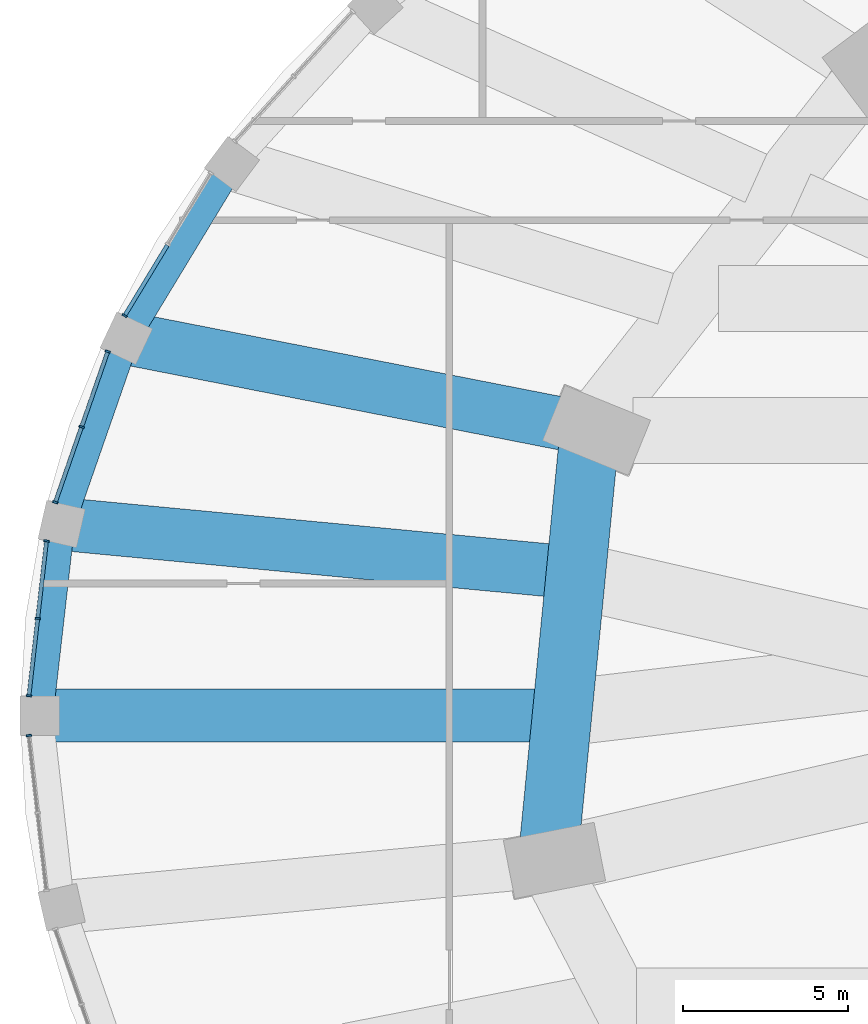
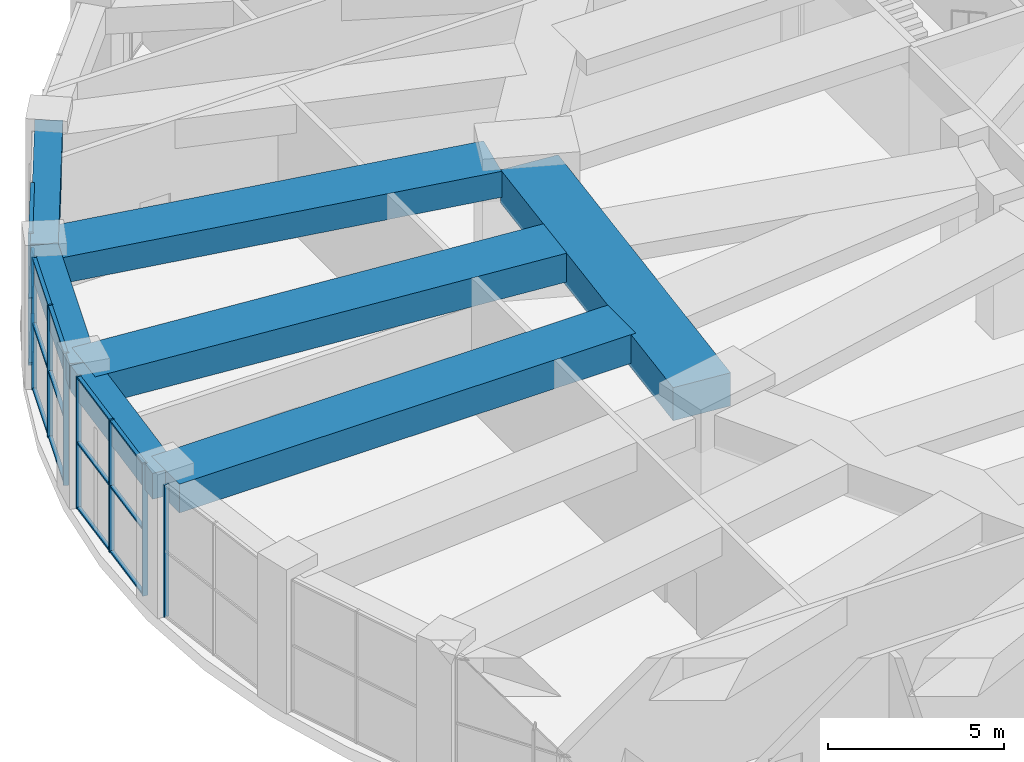
# One storey, part 8 of 32: 23 members, 7 beams, 4 elements without a shape of their own.
"""IFC4 building model written with IfcOpenShell, lengths in metres."""

from ifc_helpers import new_model, si_unit, direction, frame, origin, origin_2d, place, context, subcontext, project, spatial, rectangle, extrude, material, material_profile, profile_set, type_object, element, aggregate, save


model = new_model("IFC4")

# Units and contexts
model_context = context("Model", 3, precision=1e-05, world=origin(), true_north=direction((0.0, 1.0)))
body_context = subcontext(model_context, "Body", "Model", "MODEL_VIEW")
ifc_project = project(units=[si_unit("LENGTHUNIT", "METRE"), si_unit("AREAUNIT", "SQUARE_METRE"), si_unit("VOLUMEUNIT", "CUBIC_METRE"), si_unit("PLANEANGLEUNIT", "RADIAN"), si_unit("MASSUNIT", "GRAM", prefix="KILO")], contexts=[model_context])

# Site, building, storey
site_placement = place(None, origin())
site = spatial("IfcSite", under=ifc_project, at=site_placement, CompositionType="ELEMENT")
building_placement = place(site_placement, origin())
building = spatial("IfcBuilding", under=site, at=building_placement, Name="Taillehof Tower", CompositionType="ELEMENT")
storey_placement = place(building_placement, frame((0.0, 0.0, 7.5)))
storey = spatial("IfcBuildingStorey", under=building, at=storey_placement, Name="L01", CompositionType="ELEMENT", Elevation=7.5)

# Beams
ifc_material_1 = material(Name="Concrete C50/60", Category="concrete")
ifc_material_profile_1 = material_profile(ifc_material_1, rectangle(XDim=0.800048828125, YDim=0.89990234375, at=origin_2d()), Name="RC 800x900")
ifc_profile_set_1 = profile_set([ifc_material_profile_1], Name="Concrete C50/60")
beam_type_1 = type_object("IfcBeamType", Name="Podium edge beam C50/60 800x900", PredefinedType="BEAM", material=ifc_profile_set_1)
beam_1_placement = place(storey_placement, frame((-37.58544921875, 16.699951171875, 4.139892578125), z_axis=(-0.518238569123, -0.855236099258, 0.0), x_axis=(0.855236099258, -0.518238569123, 0.0)))
element("IfcBeam", 1, at=beam_1_placement, inside=storey, type_object=beam_type_1, Name="Podium edge beam PB16", PredefinedType="BEAM", context=body_context, shape_type="SweptSolid", body=[
    extrude(rectangle(XDim=0.800048828125, YDim=0.89990234375, at=origin_2d()), origin(), (0.0, 0.0, 1.0), 6.16943359375),
])
beam_2_placement = place(storey_placement, frame((-40.78271484375, 11.423583984375, 4.139892578125), z_axis=(-0.328806837859, -0.94439719577, 0.0), x_axis=(0.94439719577, -0.328806837859, 0.0)))
element("IfcBeam", 2, at=beam_2_placement, inside=storey, type_object=beam_type_1, Name="Podium edge beam PB17", PredefinedType="BEAM", context=body_context, shape_type="SweptSolid", body=[
    extrude(rectangle(XDim=0.800048828125, YDim=0.89990234375, at=origin_2d()), origin(), (0.0, 0.0, 1.0), 5.954833984375),
])
beam_3_placement = place(storey_placement, frame((-42.74072265625, 5.7998046875, 4.139892578125), z_axis=(-0.112928457179, -0.993603121754, 0.0), x_axis=(0.993603121754, -0.112928457179, 0.0)))
element("IfcBeam", 3, at=beam_3_placement, inside=storey, type_object=beam_type_1, Name="Podium edge beam PB18", PredefinedType="BEAM", context=body_context, shape_type="SweptSolid", body=[
    extrude(rectangle(XDim=0.800048828125, YDim=0.89990234375, at=origin_2d()), origin(), (0.0, 0.0, 1.0), 5.837158203125),
])
ifc_material_2 = material(Name="Concrete C50/60", Category="concrete")
ifc_material_profile_2 = material_profile(ifc_material_2, rectangle(XDim=1.60009765625, YDim=1.0, at=origin_2d()), Name="RC 1600x1000")
ifc_profile_set_2 = profile_set([ifc_material_profile_2], Name="Concrete C50/60")
beam_type_2 = type_object("IfcBeamType", Name="Podium radial beam C50/60 1600x1000", PredefinedType="BEAM", material=ifc_profile_set_2)
beam_4_placement = place(storey_placement, frame((-42.74072265625, 5.7998046875, 4.090087890625), z_axis=(0.995531708265, -0.094427844618, 0.0), x_axis=(0.094427844618, 0.995531708265, 0.0)))
element("IfcBeam", 4, at=beam_4_placement, inside=storey, type_object=beam_type_2, Name="Podium radial beam PR18", PredefinedType="BEAM", context=body_context, shape_type="SweptSolid", body=[
    extrude(rectangle(XDim=1.60009765625, YDim=1.0, at=origin_2d()), origin(), (0.0, 0.0, 1.0), 14.74755859375),
])
beam_5_placement = place(storey_placement, frame((-43.39990234375, 0.0, 4.090087890625), z_axis=(1.0, 0.0, 0.0), x_axis=(0.0, 1.0, 0.0)))
element("IfcBeam", 5, at=beam_5_placement, inside=storey, type_object=beam_type_2, Name="Podium radial beam PR19", PredefinedType="BEAM", context=body_context, shape_type="SweptSolid", body=[
    extrude(rectangle(XDim=1.60009765625, YDim=1.0, at=origin_2d()), origin(), (0.0, 0.0, 1.0), 14.987060546875),
])
ifc_material_3 = material(Name="Concrete C50/60", Category="concrete")
ifc_material_profile_3 = material_profile(ifc_material_3, rectangle(XDim=1.60009765625, YDim=0.89990234375, at=origin_2d()), Name="RC 1600x900")
ifc_profile_set_3 = profile_set([ifc_material_profile_3], Name="Concrete C50/60")
beam_type_3 = type_object("IfcBeamType", Name="Podium radial beam C50/60 1600x900", PredefinedType="BEAM", material=ifc_profile_set_3)
beam_6_placement = place(storey_placement, frame((-40.78271484375, 11.423583984375, 4.139892578125), z_axis=(0.981362668378, -0.192164807166, 0.0), x_axis=(0.192164807166, 0.981362668378, 0.0)))
element("IfcBeam", 6, at=beam_6_placement, inside=storey, type_object=beam_type_3, Name="Podium radial beam PR17", PredefinedType="BEAM", context=body_context, shape_type="SweptSolid", body=[
    extrude(rectangle(XDim=1.60009765625, YDim=0.89990234375, at=origin_2d()), origin(), (0.0, 0.0, 1.0), 13.479736328125),
])

# Curtain wall, member
ifc_material_4 = material(Name="Aluminium curtain wall with Clear low-emissivity double glazing", Category="aluminium")
curtain_wall_type = type_object("IfcCurtainWallType", Name="Podium window wall curtain wall", PredefinedType="USERDEFINED", material=ifc_material_4)
curtain_wall_1_placement = place(storey_placement, origin())
curtain_wall_1 = element("IfcCurtainWall", 7, at=curtain_wall_1_placement, inside=storey, type_object=curtain_wall_type, Name="Podium window wall L01 bay 16", ObjectType="WINDOW WALL", PredefinedType="USERDEFINED")
ifc_material_5 = material(Name="Aluminium mullion", Category="aluminium")
ifc_material_profile_4 = material_profile(ifc_material_5, rectangle(XDim=0.159912109375, YDim=0.06005859375, at=origin_2d()), Name="AL 60x160")
ifc_profile_set_4 = profile_set([ifc_material_profile_4], Name="Aluminium mullion")
member_type_1 = type_object("IfcMemberType", Name="Podium window wall mullion 60x160", PredefinedType="MULLION", material=ifc_profile_set_4)
member_1_placement = place(storey_placement, frame((-40.8310546875, 12.109375, 0.0), z_axis=(0.0, 0.0, 1.0), x_axis=(0.855288863309, -0.518151483931, 0.0)))
member_1 = element("IfcMember", 8, at=member_1_placement, type_object=member_type_1, Name="CT216 mullion 3", PredefinedType="MULLION", context=body_context, shape_type="SweptSolid", body=[
    extrude(rectangle(XDim=0.159912109375, YDim=0.06005859375, at=origin_2d()), origin(), (0.0, 0.0, 1.0), 4.590087890625),
])

# Curtain wall, members
curtain_wall_2_placement = place(storey_placement, origin())
curtain_wall_2 = element("IfcCurtainWall", 9, at=curtain_wall_2_placement, inside=storey, type_object=curtain_wall_type, Name="Podium window wall L01 bay 17", ObjectType="WINDOW WALL", PredefinedType="USERDEFINED")
member_2_placement = place(storey_placement, frame((-41.341796875, 11.023681640625, 0.0), z_axis=(0.0, 0.0, 1.0), x_axis=(0.944414333464, -0.328757610934, 0.0)))
member_2 = element("IfcMember", 10, at=member_2_placement, type_object=member_type_1, Name="CT217 mullion 1", PredefinedType="MULLION", context=body_context, shape_type="SweptSolid", body=[
    extrude(rectangle(XDim=0.159912109375, YDim=0.06005859375, at=origin_2d()), origin(), (0.0, 0.0, 1.0), 4.590087890625),
])
member_3_placement = place(storey_placement, frame((-42.136474609375, 8.7412109375, 0.0), z_axis=(0.0, 0.0, 1.0), x_axis=(0.944414333464, -0.328757610934, 0.0)))
member_3 = element("IfcMember", 11, at=member_3_placement, type_object=member_type_1, Name="CT217 mullion 2", PredefinedType="MULLION", context=body_context, shape_type="SweptSolid", body=[
    extrude(rectangle(XDim=0.159912109375, YDim=0.06005859375, at=origin_2d()), origin(), (0.0, 0.0, 1.0), 4.590087890625),
])
member_4_placement = place(storey_placement, frame((-42.930908203125, 6.458740234375, 0.0), z_axis=(0.0, 0.0, 1.0), x_axis=(0.944414333464, -0.328757610934, 0.0)))
member_4 = element("IfcMember", 12, at=member_4_placement, type_object=member_type_1, Name="CT217 mullion 3", PredefinedType="MULLION", context=body_context, shape_type="SweptSolid", body=[
    extrude(rectangle(XDim=0.159912109375, YDim=0.06005859375, at=origin_2d()), origin(), (0.0, 0.0, 1.0), 4.590087890625),
])

curtain_wall_3_placement = place(storey_placement, origin())
curtain_wall_3 = element("IfcCurtainWall", 13, at=curtain_wall_3_placement, inside=storey, type_object=curtain_wall_type, Name="Podium window wall L01 bay 18", ObjectType="WINDOW WALL", PredefinedType="USERDEFINED")
member_5_placement = place(storey_placement, frame((-43.197509765625, 5.28857421875, 0.0), z_axis=(0.0, 0.0, 1.0), x_axis=(0.993602669771, -0.112932433888, 0.0)))
member_5 = element("IfcMember", 14, at=member_5_placement, type_object=member_type_1, Name="CT218 mullion 1", PredefinedType="MULLION", context=body_context, shape_type="SweptSolid", body=[
    extrude(rectangle(XDim=0.159912109375, YDim=0.06005859375, at=origin_2d()), origin(), (0.0, 0.0, 1.0), 4.590087890625),
])
member_6_placement = place(storey_placement, frame((-43.464111328125, 2.9443359375, 0.0), z_axis=(0.0, 0.0, 1.0), x_axis=(0.993602669771, -0.112932433888, 0.0)))
member_6 = element("IfcMember", 15, at=member_6_placement, type_object=member_type_1, Name="CT218 mullion 2", PredefinedType="MULLION", context=body_context, shape_type="SweptSolid", body=[
    extrude(rectangle(XDim=0.159912109375, YDim=0.06005859375, at=origin_2d()), origin(), (0.0, 0.0, 1.0), 4.590087890625),
])
member_7_placement = place(storey_placement, frame((-43.73046875, 0.60009765625, 0.0), z_axis=(0.0, 0.0, 1.0), x_axis=(0.993602669771, -0.112932433888, 0.0)))
member_7 = element("IfcMember", 16, at=member_7_placement, type_object=member_type_1, Name="CT218 mullion 3", PredefinedType="MULLION", context=body_context, shape_type="SweptSolid", body=[
    extrude(rectangle(XDim=0.159912109375, YDim=0.06005859375, at=origin_2d()), origin(), (0.0, 0.0, 1.0), 4.590087890625),
])

# Curtain wall, member
curtain_wall_4_placement = place(storey_placement, origin())
curtain_wall_4 = element("IfcCurtainWall", 17, at=curtain_wall_4_placement, inside=storey, type_object=curtain_wall_type, Name="Podium window wall L01 bay 19", ObjectType="WINDOW WALL", PredefinedType="USERDEFINED")
member_8_placement = place(storey_placement, frame((-43.73046875, -0.60009765625, 0.0), z_axis=(0.0, 0.0, 1.0), x_axis=(0.993602669771, 0.112932433888, 0.0)))
member_8 = element("IfcMember", 18, at=member_8_placement, type_object=member_type_1, Name="CT219 mullion 1", PredefinedType="MULLION", context=body_context, shape_type="SweptSolid", body=[
    extrude(rectangle(XDim=0.159912109375, YDim=0.06005859375, at=origin_2d()), origin(), (0.0, 0.0, 1.0), 4.590087890625),
])
aggregate(curtain_wall_4, [member_8])

# Member
ifc_material_6 = material(Name="Aluminium transom", Category="aluminium")
ifc_material_profile_5 = material_profile(ifc_material_6, rectangle(XDim=0.1201171875, YDim=0.06005859375, at=origin_2d()), Name="AL 120x60")
ifc_profile_set_5 = profile_set([ifc_material_profile_5], Name="Aluminium transom")
member_type_2 = type_object("IfcMemberType", Name="Podium window wall transom 120x60", PredefinedType="USERDEFINED", material=ifc_profile_set_5)
member_9_placement = place(storey_placement, frame((-39.539794921875, 14.24072265625, 0.030029296875), z_axis=(-0.518136875535, -0.855297713203, 0.0), x_axis=(0.855297713203, -0.518136875535, 0.0)))
member_9 = element("IfcMember", 19, at=member_9_placement, type_object=member_type_2, Name="CT216 transom 2.1", ObjectType="TRANSOM", PredefinedType="USERDEFINED", context=body_context, shape_type="SweptSolid", body=[
    extrude(rectangle(XDim=0.1201171875, YDim=0.06005859375, at=origin_2d()), origin(), (0.0, 0.0, 1.0), 2.4619140625),
])

member_10_placement = place(storey_placement, frame((-39.539794921875, 14.24072265625, 2.294921875), z_axis=(-0.518136875535, -0.855297713203, 0.0), x_axis=(0.855297713203, -0.518136875535, 0.0)))
member_10 = element("IfcMember", 20, at=member_10_placement, type_object=member_type_2, Name="CT216 transom 2.2", ObjectType="TRANSOM", PredefinedType="USERDEFINED", context=body_context, shape_type="SweptSolid", body=[
    extrude(rectangle(XDim=0.1201171875, YDim=0.06005859375, at=origin_2d()), origin(), (0.0, 0.0, 1.0), 2.4619140625),
])

member_11_placement = place(storey_placement, frame((-39.539794921875, 14.24072265625, 4.56005859375), z_axis=(-0.518136875535, -0.855297713203, 0.0), x_axis=(0.855297713203, -0.518136875535, 0.0)))
member_11 = element("IfcMember", 21, at=member_11_placement, type_object=member_type_2, Name="CT216 transom 2.3", ObjectType="TRANSOM", PredefinedType="USERDEFINED", context=body_context, shape_type="SweptSolid", body=[
    extrude(rectangle(XDim=0.1201171875, YDim=0.06005859375, at=origin_2d()), origin(), (0.0, 0.0, 1.0), 2.4619140625),
])

aggregate(curtain_wall_1, [member_1, member_9, member_10, member_11])

member_12_placement = place(storey_placement, frame((-41.351806640625, 10.995361328125, 0.030029296875), z_axis=(-0.328693387122, -0.9444366878, 0.0), x_axis=(0.9444366878, -0.328693387122, 0.0)))
member_12 = element("IfcMember", 22, at=member_12_placement, type_object=member_type_2, Name="CT217 transom 1.1", ObjectType="TRANSOM", PredefinedType="USERDEFINED", context=body_context, shape_type="SweptSolid", body=[
    extrude(rectangle(XDim=0.1201171875, YDim=0.06005859375, at=origin_2d()), origin(), (0.0, 0.0, 1.0), 2.356689453125),
])

member_13_placement = place(storey_placement, frame((-41.351806640625, 10.995361328125, 2.294921875), z_axis=(-0.328693387122, -0.9444366878, 0.0), x_axis=(0.9444366878, -0.328693387122, 0.0)))
member_13 = element("IfcMember", 23, at=member_13_placement, type_object=member_type_2, Name="CT217 transom 1.2", ObjectType="TRANSOM", PredefinedType="USERDEFINED", context=body_context, shape_type="SweptSolid", body=[
    extrude(rectangle(XDim=0.1201171875, YDim=0.06005859375, at=origin_2d()), origin(), (0.0, 0.0, 1.0), 2.356689453125),
])

member_14_placement = place(storey_placement, frame((-41.351806640625, 10.995361328125, 4.56005859375), z_axis=(-0.328693387122, -0.9444366878, 0.0), x_axis=(0.9444366878, -0.328693387122, 0.0)))
member_14 = element("IfcMember", 24, at=member_14_placement, type_object=member_type_2, Name="CT217 transom 1.3", ObjectType="TRANSOM", PredefinedType="USERDEFINED", context=body_context, shape_type="SweptSolid", body=[
    extrude(rectangle(XDim=0.1201171875, YDim=0.06005859375, at=origin_2d()), origin(), (0.0, 0.0, 1.0), 2.356689453125),
])

member_15_placement = place(storey_placement, frame((-42.146240234375, 8.712890625, 0.030029296875), z_axis=(-0.328785781258, -0.944404526695, 0.0), x_axis=(0.944404526695, -0.328785781258, 0.0)))
member_15 = element("IfcMember", 25, at=member_15_placement, type_object=member_type_2, Name="CT217 transom 2.1", ObjectType="TRANSOM", PredefinedType="USERDEFINED", context=body_context, shape_type="SweptSolid", body=[
    extrude(rectangle(XDim=0.1201171875, YDim=0.06005859375, at=origin_2d()), origin(), (0.0, 0.0, 1.0), 2.35693359375),
])

member_16_placement = place(storey_placement, frame((-42.146240234375, 8.712890625, 2.294921875), z_axis=(-0.328785781258, -0.944404526695, 0.0), x_axis=(0.944404526695, -0.328785781258, 0.0)))
member_16 = element("IfcMember", 26, at=member_16_placement, type_object=member_type_2, Name="CT217 transom 2.2", ObjectType="TRANSOM", PredefinedType="USERDEFINED", context=body_context, shape_type="SweptSolid", body=[
    extrude(rectangle(XDim=0.1201171875, YDim=0.06005859375, at=origin_2d()), origin(), (0.0, 0.0, 1.0), 2.35693359375),
])

member_17_placement = place(storey_placement, frame((-42.146240234375, 8.712890625, 4.56005859375), z_axis=(-0.328785781258, -0.944404526695, 0.0), x_axis=(0.944404526695, -0.328785781258, 0.0)))
member_17 = element("IfcMember", 27, at=member_17_placement, type_object=member_type_2, Name="CT217 transom 2.3", ObjectType="TRANSOM", PredefinedType="USERDEFINED", context=body_context, shape_type="SweptSolid", body=[
    extrude(rectangle(XDim=0.1201171875, YDim=0.06005859375, at=origin_2d()), origin(), (0.0, 0.0, 1.0), 2.35693359375),
])

aggregate(curtain_wall_2, [member_2, member_3, member_4, member_12, member_13, member_14, member_15, member_16, member_17])

member_18_placement = place(storey_placement, frame((-43.200927734375, 5.2587890625, 0.030029296875), z_axis=(-0.112971628537, -0.993598214142, 0.0), x_axis=(0.993598214142, -0.112971628537, 0.0)))
member_18 = element("IfcMember", 28, at=member_18_placement, type_object=member_type_2, Name="CT218 transom 1.1", ObjectType="TRANSOM", PredefinedType="USERDEFINED", context=body_context, shape_type="SweptSolid", body=[
    extrude(rectangle(XDim=0.1201171875, YDim=0.06005859375, at=origin_2d()), origin(), (0.0, 0.0, 1.0), 2.29931640625),
])

member_19_placement = place(storey_placement, frame((-43.200927734375, 5.2587890625, 2.294921875), z_axis=(-0.112971628537, -0.993598214142, 0.0), x_axis=(0.993598214142, -0.112971628537, 0.0)))
member_19 = element("IfcMember", 29, at=member_19_placement, type_object=member_type_2, Name="CT218 transom 1.2", ObjectType="TRANSOM", PredefinedType="USERDEFINED", context=body_context, shape_type="SweptSolid", body=[
    extrude(rectangle(XDim=0.1201171875, YDim=0.06005859375, at=origin_2d()), origin(), (0.0, 0.0, 1.0), 2.29931640625),
])

member_20_placement = place(storey_placement, frame((-43.200927734375, 5.2587890625, 4.56005859375), z_axis=(-0.112971628537, -0.993598214142, 0.0), x_axis=(0.993598214142, -0.112971628537, 0.0)))
member_20 = element("IfcMember", 30, at=member_20_placement, type_object=member_type_2, Name="CT218 transom 1.3", ObjectType="TRANSOM", PredefinedType="USERDEFINED", context=body_context, shape_type="SweptSolid", body=[
    extrude(rectangle(XDim=0.1201171875, YDim=0.06005859375, at=origin_2d()), origin(), (0.0, 0.0, 1.0), 2.29931640625),
])

member_21_placement = place(storey_placement, frame((-43.467529296875, 2.91455078125, 0.030029296875), z_axis=(-0.112866805394, -0.993610126881, 0.0), x_axis=(0.993610126881, -0.112866805394, 0.0)))
member_21 = element("IfcMember", 31, at=member_21_placement, type_object=member_type_2, Name="CT218 transom 2.1", ObjectType="TRANSOM", PredefinedType="USERDEFINED", context=body_context, shape_type="SweptSolid", body=[
    extrude(rectangle(XDim=0.1201171875, YDim=0.06005859375, at=origin_2d()), origin(), (0.0, 0.0, 1.0), 2.29931640625),
])

member_22_placement = place(storey_placement, frame((-43.467529296875, 2.91455078125, 2.294921875), z_axis=(-0.112866805394, -0.993610126881, 0.0), x_axis=(0.993610126881, -0.112866805394, 0.0)))
member_22 = element("IfcMember", 32, at=member_22_placement, type_object=member_type_2, Name="CT218 transom 2.2", ObjectType="TRANSOM", PredefinedType="USERDEFINED", context=body_context, shape_type="SweptSolid", body=[
    extrude(rectangle(XDim=0.1201171875, YDim=0.06005859375, at=origin_2d()), origin(), (0.0, 0.0, 1.0), 2.29931640625),
])

member_23_placement = place(storey_placement, frame((-43.467529296875, 2.91455078125, 4.56005859375), z_axis=(-0.112866805394, -0.993610126881, 0.0), x_axis=(0.993610126881, -0.112866805394, 0.0)))
member_23 = element("IfcMember", 33, at=member_23_placement, type_object=member_type_2, Name="CT218 transom 2.3", ObjectType="TRANSOM", PredefinedType="USERDEFINED", context=body_context, shape_type="SweptSolid", body=[
    extrude(rectangle(XDim=0.1201171875, YDim=0.06005859375, at=origin_2d()), origin(), (0.0, 0.0, 1.0), 2.29931640625),
])

aggregate(curtain_wall_3, [member_5, member_6, member_7, member_18, member_19, member_20, member_21, member_22, member_23])

# Beam
ifc_material_7 = material(Name="Concrete C50/60", Category="concrete")
ifc_material_profile_6 = material_profile(ifc_material_7, rectangle(XDim=1.800048828125, YDim=1.14990234375, at=origin_2d()), Name="RC 1800x1150")
ifc_profile_set_6 = profile_set([ifc_material_profile_6], Name="Concrete C50/60")
beam_type_4 = type_object("IfcBeamType", Name="Ring floor beam C50/60 1800x1150", PredefinedType="BEAM", material=ifc_profile_set_6)
beam_7_placement = place(storey_placement, frame((-26.804931640625, 8.048095703125, 4.014892578125), z_axis=(-0.097401633185, -0.995245156659, 0.0), x_axis=(0.995245156659, -0.097401633185, 0.0)))
element("IfcBeam", 34, at=beam_7_placement, inside=storey, type_object=beam_type_4, Name="Ring floor beam RG06", PredefinedType="BEAM", context=body_context, shape_type="SweptSolid", body=[
    extrude(rectangle(XDim=1.800048828125, YDim=1.14990234375, at=origin_2d()), origin(), (0.0, 0.0, 1.0), 11.868408203125),
])

save(model, "model.ifc")
